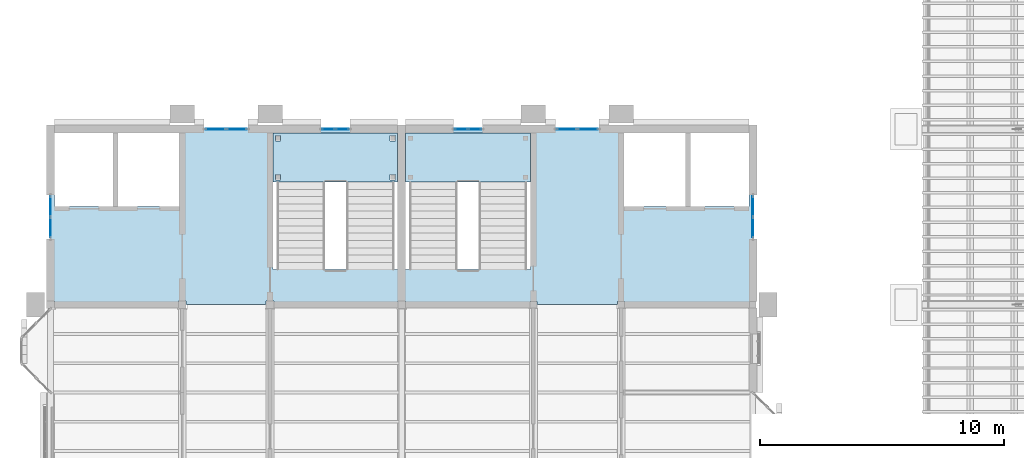
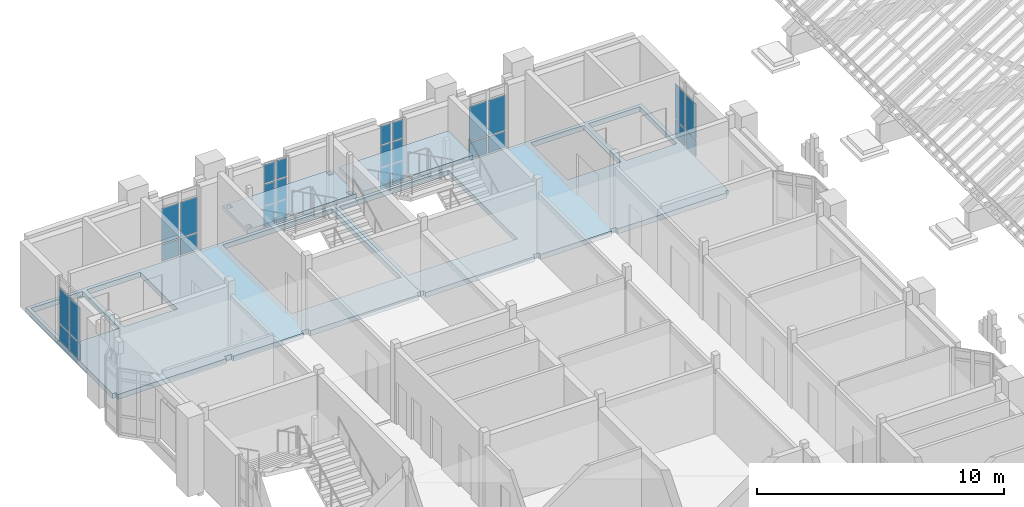
# One storey, part 30 of 71: 28 plates, 4 slabs, 8 elements without a shape of their own.
"""IFC4 building model written with IfcOpenShell, lengths in metres."""

from ifc_helpers import new_model, si_unit, direction, frame, origin, origin_2d, place, context, subcontext, project, spatial, polyline, rectangle, outline, extrude, material, layer, layer_set, type_object, element, aggregate, save


model = new_model("IFC4")

# Units and contexts
model_context = context("Model", 3, precision=1e-05, world=origin(), true_north=direction((0.0, 1.0)))
body_context = subcontext(model_context, "Body", "Model", "MODEL_VIEW")
ifc_project = project(units=[si_unit("LENGTHUNIT", "METRE"), si_unit("AREAUNIT", "SQUARE_METRE"), si_unit("VOLUMEUNIT", "CUBIC_METRE"), si_unit("PLANEANGLEUNIT", "RADIAN"), si_unit("MASSUNIT", "GRAM", prefix="KILO")], contexts=[model_context])

# Site, building, storey
site_placement = place(None, origin())
site = spatial("IfcSite", under=ifc_project, at=site_placement, CompositionType="ELEMENT")
building_placement = place(site_placement, origin())
building = spatial("IfcBuilding", under=site, at=building_placement, Name="Mazhai Court Health Centre", CompositionType="ELEMENT")
storey_placement = place(building_placement, frame((0.0, 0.0, 10.199951171875)))
storey = spatial("IfcBuildingStorey", under=building, at=storey_placement, Name="L02", CompositionType="ELEMENT", Elevation=10.199951171875)

# Curtain wall, plates
ifc_material_1 = material(Name="Teak timber frame, glazed", Category="wood")
ifc_layer_1 = layer(ifc_material_1, 0.10009765625)
ifc_layer_set_1 = layer_set([ifc_layer_1], Name="CURTAIN WALL TIMBER 900")
curtain_wall_type_1 = type_object("IfcCurtainWallType", Name="CURTAIN WALL TIMBER 900", PredefinedType="NOTDEFINED", material=ifc_layer_set_1)
curtain_wall_1_placement = place(storey_placement, origin())
curtain_wall_1 = element("IfcCurtainWall", 1, at=curtain_wall_1_placement, inside=storey, type_object=curtain_wall_type_1, Name="CW-V2-L02-A4", PredefinedType="NOTDEFINED")
ifc_material_2 = material(Name="Glass IGU 28 mm", Category="glass")
ifc_layer_2 = layer(ifc_material_2, 0.028076171875)
ifc_layer_set_2 = layer_set([ifc_layer_2], Name="CW PANEL IGU 28")
plate_type = type_object("IfcPlateType", Name="CW PANEL IGU 28", PredefinedType="CURTAIN_PANEL", material=ifc_layer_set_2)
plate_1_placement = place(storey_placement, frame((6.199951171875, 38.1650390625, 0.06005859375), z_axis=(0.0, 0.0, 1.0), x_axis=(0.0, 1.0, 0.0)))
plate_1 = element("IfcPlate", 2, at=plate_1_placement, type_object=plate_type, Name="CW panel 1.1", PredefinedType="CURTAIN_PANEL", context=body_context, shape_type="SweptSolid", body=[
    extrude(rectangle(XDim=0.81005859375, YDim=0.028076171875, at=origin_2d()), origin(), (0.0, 0.0, 1.0), 0.81005859375),
])
plate_2_placement = place(storey_placement, frame((6.199951171875, 38.1650390625, 0.93017578125), z_axis=(0.0, 0.0, 1.0), x_axis=(0.0, 1.0, 0.0)))
plate_2 = element("IfcPlate", 3, at=plate_2_placement, type_object=plate_type, Name="CW panel 1.2", PredefinedType="CURTAIN_PANEL", context=body_context, shape_type="SweptSolid", body=[
    extrude(rectangle(XDim=0.81005859375, YDim=0.028076171875, at=origin_2d()), origin(), (0.0, 0.0, 1.0), 1.739990234375),
])
plate_3_placement = place(storey_placement, frame((6.199951171875, 39.034912109375, 0.06005859375), z_axis=(0.0, 0.0, 1.0), x_axis=(0.0, 1.0, 0.0)))
plate_3 = element("IfcPlate", 4, at=plate_3_placement, type_object=plate_type, Name="CW panel 2.1", PredefinedType="CURTAIN_PANEL", context=body_context, shape_type="SweptSolid", body=[
    extrude(rectangle(XDim=0.81005859375, YDim=0.028076171875, at=origin_2d()), origin(), (0.0, 0.0, 1.0), 0.81005859375),
])
plate_4_placement = place(storey_placement, frame((6.199951171875, 39.034912109375, 0.93017578125), z_axis=(0.0, 0.0, 1.0), x_axis=(0.0, 1.0, 0.0)))
plate_4 = element("IfcPlate", 5, at=plate_4_placement, type_object=plate_type, Name="CW panel 2.2", PredefinedType="CURTAIN_PANEL", context=body_context, shape_type="SweptSolid", body=[
    extrude(rectangle(XDim=0.81005859375, YDim=0.028076171875, at=origin_2d()), origin(), (0.0, 0.0, 1.0), 1.739990234375),
])
aggregate(curtain_wall_1, [plate_1, plate_2, plate_3, plate_4])

curtain_wall_2_placement = place(storey_placement, origin())
curtain_wall_2 = element("IfcCurtainWall", 6, at=curtain_wall_2_placement, inside=storey, type_object=curtain_wall_type_1, Name="CW-V2-L02-ELIFT0", PredefinedType="NOTDEFINED")
plate_5_placement = place(storey_placement, frame((12.965087890625, 42.199951171875, 0.06005859375), z_axis=(0.0, 0.0, 1.0), x_axis=(1.0, 0.0, 0.0)))
plate_5 = element("IfcPlate", 7, at=plate_5_placement, type_object=plate_type, Name="CW panel 1.1", PredefinedType="CURTAIN_PANEL", context=body_context, shape_type="SweptSolid", body=[
    extrude(rectangle(XDim=0.81005859375, YDim=0.028076171875, at=origin_2d()), origin(), (0.0, 0.0, 1.0), 0.81005859375),
])
plate_6_placement = place(storey_placement, frame((12.965087890625, 42.199951171875, 0.93017578125), z_axis=(0.0, 0.0, 1.0), x_axis=(1.0, 0.0, 0.0)))
plate_6 = element("IfcPlate", 8, at=plate_6_placement, type_object=plate_type, Name="CW panel 1.2", PredefinedType="CURTAIN_PANEL", context=body_context, shape_type="SweptSolid", body=[
    extrude(rectangle(XDim=0.81005859375, YDim=0.028076171875, at=origin_2d()), origin(), (0.0, 0.0, 1.0), 1.739990234375),
])
plate_7_placement = place(storey_placement, frame((13.8349609375, 42.199951171875, 0.06005859375), z_axis=(0.0, 0.0, 1.0), x_axis=(1.0, 0.0, 0.0)))
plate_7 = element("IfcPlate", 9, at=plate_7_placement, type_object=plate_type, Name="CW panel 2.1", PredefinedType="CURTAIN_PANEL", context=body_context, shape_type="SweptSolid", body=[
    extrude(rectangle(XDim=0.81005859375, YDim=0.028076171875, at=origin_2d()), origin(), (0.0, 0.0, 1.0), 0.81005859375),
])
plate_8_placement = place(storey_placement, frame((13.8349609375, 42.199951171875, 0.93017578125), z_axis=(0.0, 0.0, 1.0), x_axis=(1.0, 0.0, 0.0)))
plate_8 = element("IfcPlate", 10, at=plate_8_placement, type_object=plate_type, Name="CW panel 2.2", PredefinedType="CURTAIN_PANEL", context=body_context, shape_type="SweptSolid", body=[
    extrude(rectangle(XDim=0.81005859375, YDim=0.028076171875, at=origin_2d()), origin(), (0.0, 0.0, 1.0), 1.739990234375),
])
aggregate(curtain_wall_2, [plate_5, plate_6, plate_7, plate_8])

ifc_material_3 = material(Name="Teak timber frame, glazed", Category="wood")
ifc_layer_3 = layer(ifc_material_3, 0.10009765625)
ifc_layer_set_3 = layer_set([ifc_layer_3], Name="CURTAIN WALL TIMBER 600")
curtain_wall_type_2 = type_object("IfcCurtainWallType", Name="CURTAIN WALL TIMBER 600", PredefinedType="NOTDEFINED", material=ifc_layer_set_3)
curtain_wall_3_placement = place(storey_placement, origin())
curtain_wall_3 = element("IfcCurtainWall", 11, at=curtain_wall_3_placement, inside=storey, type_object=curtain_wall_type_2, Name="CW-V2-L02-ESTAIR1", PredefinedType="NOTDEFINED")
plate_9_placement = place(storey_placement, frame((17.594970703125, 42.199951171875, 0.06005859375), z_axis=(0.0, 0.0, 1.0), x_axis=(1.0, 0.0, 0.0)))
plate_9 = element("IfcPlate", 12, at=plate_9_placement, type_object=plate_type, Name="CW panel 1.1", PredefinedType="CURTAIN_PANEL", context=body_context, shape_type="SweptSolid", body=[
    extrude(rectangle(XDim=0.510009765625, YDim=0.028076171875, at=origin_2d()), origin(), (0.0, 0.0, 1.0), 1.010009765625),
])
plate_10_placement = place(storey_placement, frame((17.594970703125, 42.199951171875, 1.130126953125), z_axis=(0.0, 0.0, 1.0), x_axis=(1.0, 0.0, 0.0)))
plate_10 = element("IfcPlate", 13, at=plate_10_placement, type_object=plate_type, Name="CW panel 1.2", PredefinedType="CURTAIN_PANEL", context=body_context, shape_type="SweptSolid", body=[
    extrude(rectangle(XDim=0.510009765625, YDim=0.028076171875, at=origin_2d()), origin(), (0.0, 0.0, 1.0), 1.0400390625),
])
plate_11_placement = place(storey_placement, frame((17.594970703125, 42.199951171875, 2.22998046875), z_axis=(0.0, 0.0, 1.0), x_axis=(1.0, 0.0, 0.0)))
plate_11 = element("IfcPlate", 14, at=plate_11_placement, type_object=plate_type, Name="CW panel 1.3", PredefinedType="CURTAIN_PANEL", context=body_context, shape_type="SweptSolid", body=[
    extrude(rectangle(XDim=0.510009765625, YDim=0.028076171875, at=origin_2d()), origin(), (0.0, 0.0, 1.0), 0.909912109375),
])
plate_12_placement = place(storey_placement, frame((18.1650390625, 42.199951171875, 0.06005859375), z_axis=(0.0, 0.0, 1.0), x_axis=(1.0, 0.0, 0.0)))
plate_12 = element("IfcPlate", 15, at=plate_12_placement, type_object=plate_type, Name="CW panel 2.1", PredefinedType="CURTAIN_PANEL", context=body_context, shape_type="SweptSolid", body=[
    extrude(rectangle(XDim=0.510009765625, YDim=0.028076171875, at=origin_2d()), origin(), (0.0, 0.0, 1.0), 1.010009765625),
])
plate_13_placement = place(storey_placement, frame((18.1650390625, 42.199951171875, 1.130126953125), z_axis=(0.0, 0.0, 1.0), x_axis=(1.0, 0.0, 0.0)))
plate_13 = element("IfcPlate", 16, at=plate_13_placement, type_object=plate_type, Name="CW panel 2.2", PredefinedType="CURTAIN_PANEL", context=body_context, shape_type="SweptSolid", body=[
    extrude(rectangle(XDim=0.510009765625, YDim=0.028076171875, at=origin_2d()), origin(), (0.0, 0.0, 1.0), 1.0400390625),
])
plate_14_placement = place(storey_placement, frame((18.1650390625, 42.199951171875, 2.22998046875), z_axis=(0.0, 0.0, 1.0), x_axis=(1.0, 0.0, 0.0)))
plate_14 = element("IfcPlate", 17, at=plate_14_placement, type_object=plate_type, Name="CW panel 2.3", PredefinedType="CURTAIN_PANEL", context=body_context, shape_type="SweptSolid", body=[
    extrude(rectangle(XDim=0.510009765625, YDim=0.028076171875, at=origin_2d()), origin(), (0.0, 0.0, 1.0), 0.909912109375),
])
aggregate(curtain_wall_3, [plate_9, plate_10, plate_11, plate_12, plate_13, plate_14])

curtain_wall_4_placement = place(storey_placement, origin())
curtain_wall_4 = element("IfcCurtainWall", 18, at=curtain_wall_4_placement, inside=storey, type_object=curtain_wall_type_1, Name="CW-V5-L02-B4", PredefinedType="NOTDEFINED")
plate_15_placement = place(storey_placement, frame((35.0, 39.034912109375, 0.06005859375), z_axis=(0.0, 0.0, 1.0), x_axis=(0.0, -1.0, 0.0)))
plate_15 = element("IfcPlate", 19, at=plate_15_placement, type_object=plate_type, Name="CW panel 1.1", PredefinedType="CURTAIN_PANEL", context=body_context, shape_type="SweptSolid", body=[
    extrude(rectangle(XDim=0.81005859375, YDim=0.028076171875, at=origin_2d()), origin(), (0.0, 0.0, 1.0), 0.81005859375),
])
plate_16_placement = place(storey_placement, frame((35.0, 39.034912109375, 0.93017578125), z_axis=(0.0, 0.0, 1.0), x_axis=(0.0, -1.0, 0.0)))
plate_16 = element("IfcPlate", 20, at=plate_16_placement, type_object=plate_type, Name="CW panel 1.2", PredefinedType="CURTAIN_PANEL", context=body_context, shape_type="SweptSolid", body=[
    extrude(rectangle(XDim=0.81005859375, YDim=0.028076171875, at=origin_2d()), origin(), (0.0, 0.0, 1.0), 1.739990234375),
])
plate_17_placement = place(storey_placement, frame((35.0, 38.1650390625, 0.06005859375), z_axis=(0.0, 0.0, 1.0), x_axis=(0.0, -1.0, 0.0)))
plate_17 = element("IfcPlate", 21, at=plate_17_placement, type_object=plate_type, Name="CW panel 2.1", PredefinedType="CURTAIN_PANEL", context=body_context, shape_type="SweptSolid", body=[
    extrude(rectangle(XDim=0.81005859375, YDim=0.028076171875, at=origin_2d()), origin(), (0.0, 0.0, 1.0), 0.81005859375),
])
plate_18_placement = place(storey_placement, frame((35.0, 38.1650390625, 0.93017578125), z_axis=(0.0, 0.0, 1.0), x_axis=(0.0, -1.0, 0.0)))
plate_18 = element("IfcPlate", 22, at=plate_18_placement, type_object=plate_type, Name="CW panel 2.2", PredefinedType="CURTAIN_PANEL", context=body_context, shape_type="SweptSolid", body=[
    extrude(rectangle(XDim=0.81005859375, YDim=0.028076171875, at=origin_2d()), origin(), (0.0, 0.0, 1.0), 1.739990234375),
])
aggregate(curtain_wall_4, [plate_15, plate_16, plate_17, plate_18])

curtain_wall_5_placement = place(storey_placement, origin())
curtain_wall_5 = element("IfcCurtainWall", 23, at=curtain_wall_5_placement, inside=storey, type_object=curtain_wall_type_2, Name="CW-V5-L02-ESTAIR0", PredefinedType="NOTDEFINED")
plate_19_placement = place(storey_placement, frame((23.034912109375, 42.199951171875, 0.06005859375), z_axis=(0.0, 0.0, 1.0), x_axis=(1.0, 0.0, 0.0)))
plate_19 = element("IfcPlate", 24, at=plate_19_placement, type_object=plate_type, Name="CW panel 1.1", PredefinedType="CURTAIN_PANEL", context=body_context, shape_type="SweptSolid", body=[
    extrude(rectangle(XDim=0.510009765625, YDim=0.028076171875, at=origin_2d()), origin(), (0.0, 0.0, 1.0), 1.010009765625),
])
plate_20_placement = place(storey_placement, frame((23.034912109375, 42.199951171875, 1.130126953125), z_axis=(0.0, 0.0, 1.0), x_axis=(1.0, 0.0, 0.0)))
plate_20 = element("IfcPlate", 25, at=plate_20_placement, type_object=plate_type, Name="CW panel 1.2", PredefinedType="CURTAIN_PANEL", context=body_context, shape_type="SweptSolid", body=[
    extrude(rectangle(XDim=0.510009765625, YDim=0.028076171875, at=origin_2d()), origin(), (0.0, 0.0, 1.0), 1.0400390625),
])
plate_21_placement = place(storey_placement, frame((23.034912109375, 42.199951171875, 2.22998046875), z_axis=(0.0, 0.0, 1.0), x_axis=(1.0, 0.0, 0.0)))
plate_21 = element("IfcPlate", 26, at=plate_21_placement, type_object=plate_type, Name="CW panel 1.3", PredefinedType="CURTAIN_PANEL", context=body_context, shape_type="SweptSolid", body=[
    extrude(rectangle(XDim=0.510009765625, YDim=0.028076171875, at=origin_2d()), origin(), (0.0, 0.0, 1.0), 0.909912109375),
])
plate_22_placement = place(storey_placement, frame((23.60498046875, 42.199951171875, 0.06005859375), z_axis=(0.0, 0.0, 1.0), x_axis=(1.0, 0.0, 0.0)))
plate_22 = element("IfcPlate", 27, at=plate_22_placement, type_object=plate_type, Name="CW panel 2.1", PredefinedType="CURTAIN_PANEL", context=body_context, shape_type="SweptSolid", body=[
    extrude(rectangle(XDim=0.510009765625, YDim=0.028076171875, at=origin_2d()), origin(), (0.0, 0.0, 1.0), 1.010009765625),
])
plate_23_placement = place(storey_placement, frame((23.60498046875, 42.199951171875, 1.130126953125), z_axis=(0.0, 0.0, 1.0), x_axis=(1.0, 0.0, 0.0)))
plate_23 = element("IfcPlate", 28, at=plate_23_placement, type_object=plate_type, Name="CW panel 2.2", PredefinedType="CURTAIN_PANEL", context=body_context, shape_type="SweptSolid", body=[
    extrude(rectangle(XDim=0.510009765625, YDim=0.028076171875, at=origin_2d()), origin(), (0.0, 0.0, 1.0), 1.0400390625),
])
plate_24_placement = place(storey_placement, frame((23.60498046875, 42.199951171875, 2.22998046875), z_axis=(0.0, 0.0, 1.0), x_axis=(1.0, 0.0, 0.0)))
plate_24 = element("IfcPlate", 29, at=plate_24_placement, type_object=plate_type, Name="CW panel 2.3", PredefinedType="CURTAIN_PANEL", context=body_context, shape_type="SweptSolid", body=[
    extrude(rectangle(XDim=0.510009765625, YDim=0.028076171875, at=origin_2d()), origin(), (0.0, 0.0, 1.0), 0.909912109375),
])
aggregate(curtain_wall_5, [plate_19, plate_20, plate_21, plate_22, plate_23, plate_24])

curtain_wall_6_placement = place(storey_placement, origin())
curtain_wall_6 = element("IfcCurtainWall", 30, at=curtain_wall_6_placement, inside=storey, type_object=curtain_wall_type_1, Name="CW-V5-L02-ELIFT1", PredefinedType="NOTDEFINED")
plate_25_placement = place(storey_placement, frame((27.364990234375, 42.199951171875, 0.06005859375), z_axis=(0.0, 0.0, 1.0), x_axis=(1.0, 0.0, 0.0)))
plate_25 = element("IfcPlate", 31, at=plate_25_placement, type_object=plate_type, Name="CW panel 1.1", PredefinedType="CURTAIN_PANEL", context=body_context, shape_type="SweptSolid", body=[
    extrude(rectangle(XDim=0.81005859375, YDim=0.028076171875, at=origin_2d()), origin(), (0.0, 0.0, 1.0), 0.81005859375),
])
plate_26_placement = place(storey_placement, frame((27.364990234375, 42.199951171875, 0.93017578125), z_axis=(0.0, 0.0, 1.0), x_axis=(1.0, 0.0, 0.0)))
plate_26 = element("IfcPlate", 32, at=plate_26_placement, type_object=plate_type, Name="CW panel 1.2", PredefinedType="CURTAIN_PANEL", context=body_context, shape_type="SweptSolid", body=[
    extrude(rectangle(XDim=0.81005859375, YDim=0.028076171875, at=origin_2d()), origin(), (0.0, 0.0, 1.0), 1.739990234375),
])
plate_27_placement = place(storey_placement, frame((28.235107421875, 42.199951171875, 0.06005859375), z_axis=(0.0, 0.0, 1.0), x_axis=(1.0, 0.0, 0.0)))
plate_27 = element("IfcPlate", 33, at=plate_27_placement, type_object=plate_type, Name="CW panel 2.1", PredefinedType="CURTAIN_PANEL", context=body_context, shape_type="SweptSolid", body=[
    extrude(rectangle(XDim=0.81005859375, YDim=0.028076171875, at=origin_2d()), origin(), (0.0, 0.0, 1.0), 0.81005859375),
])
plate_28_placement = place(storey_placement, frame((28.235107421875, 42.199951171875, 0.93017578125), z_axis=(0.0, 0.0, 1.0), x_axis=(1.0, 0.0, 0.0)))
plate_28 = element("IfcPlate", 34, at=plate_28_placement, type_object=plate_type, Name="CW panel 2.2", PredefinedType="CURTAIN_PANEL", context=body_context, shape_type="SweptSolid", body=[
    extrude(rectangle(XDim=0.81005859375, YDim=0.028076171875, at=origin_2d()), origin(), (0.0, 0.0, 1.0), 1.739990234375),
])
aggregate(curtain_wall_6, [plate_25, plate_26, plate_27, plate_28])

# Slabs
ifc_material_4 = material(Name="Concrete M40", Category="concrete")
ifc_layer_4 = layer(ifc_material_4, 0.25)
ifc_layer_set_4 = layer_set([ifc_layer_4], Name="RC CORE FLOOR 250 M40")
slab_type_1 = type_object("IfcSlabType", Name="RC CORE FLOOR 250 M40", PredefinedType="FLOOR", material=ifc_layer_set_4)
slab_1_placement = place(storey_placement, frame((0.0, 0.0, -0.25)))
element("IfcSlab", 35, at=slab_1_placement, inside=storey, type_object=slab_type_1, Name="core-C3-floor-L02", PredefinedType="FLOOR", context=body_context, shape_type="SweptSolid", body=[
    extrude(outline(polyline([(20.60009765625, 42.199951171875), (20.60009765625, 35.159912109375), (20.43994140625, 35.159912109375), (20.43994140625, 35.0), (15.360107421875, 35.0), (15.360107421875, 35.159912109375), (15.0400390625, 35.159912109375), (15.0400390625, 35.0), (11.760009765625, 35.0), (11.760009765625, 35.159912109375), (11.43994140625, 35.159912109375), (11.43994140625, 35.0), (6.360107421875, 35.0), (6.360107421875, 35.159912109375), (6.199951171875, 35.159912109375), (6.199951171875, 42.199951171875), (20.60009765625, 42.199951171875)]), holes=[polyline([(15.324951171875, 36.4365234375), (20.43505859375, 36.4365234375), (20.43505859375, 42.034912109375), (15.324951171875, 42.034912109375), (15.324951171875, 36.4365234375)]), polyline([(8.764892578125, 42.034912109375), (6.364990234375, 42.034912109375), (6.364990234375, 39.034912109375), (8.764892578125, 39.034912109375), (8.764892578125, 42.034912109375)]), polyline([(11.47509765625, 42.034912109375), (8.965087890625, 42.034912109375), (8.965087890625, 39.034912109375), (11.47509765625, 39.034912109375), (11.47509765625, 42.034912109375)])]), origin(), (0.0, 0.0, 1.0), 0.25),
])
slab_2_placement = place(storey_placement, frame((0.0, 0.0, -0.25)))
element("IfcSlab", 36, at=slab_2_placement, inside=storey, type_object=slab_type_1, Name="core-C5-floor-L02", PredefinedType="FLOOR", context=body_context, shape_type="SweptSolid", body=[
    extrude(outline(polyline([(35.0, 42.199951171875), (35.0, 35.139892578125), (34.860107421875, 35.139892578125), (34.860107421875, 35.0), (29.739990234375, 35.0), (29.739990234375, 35.139892578125), (29.4599609375, 35.139892578125), (29.4599609375, 35.0), (26.139892578125, 35.0), (26.139892578125, 35.139892578125), (25.860107421875, 35.139892578125), (25.860107421875, 35.0), (20.760009765625, 35.0), (20.760009765625, 35.159912109375), (20.60009765625, 35.159912109375), (20.60009765625, 42.199951171875), (35.0, 42.199951171875)]), holes=[polyline([(20.764892578125, 36.4365234375), (25.875, 36.4365234375), (25.875, 42.034912109375), (20.764892578125, 42.034912109375), (20.764892578125, 36.4365234375)]), polyline([(32.235107421875, 42.034912109375), (29.72509765625, 42.034912109375), (29.72509765625, 39.034912109375), (32.235107421875, 39.034912109375), (32.235107421875, 42.034912109375)]), polyline([(34.8349609375, 42.034912109375), (32.43505859375, 42.034912109375), (32.43505859375, 39.034912109375), (34.8349609375, 39.034912109375), (34.8349609375, 42.034912109375)])]), origin(), (0.0, 0.0, 1.0), 0.25),
])

# Stair, slab
ifc_material_5 = material(Name="Concrete M40", Category="concrete")
stair_type = type_object("IfcStairType", Name="RC STAIR 2000 26R", PredefinedType="DOUBLE_RETURN_STAIR", material=ifc_material_5)
stair_1_placement = place(storey_placement, origin())
stair_1 = element("IfcStair", 37, at=stair_1_placement, inside=storey, type_object=stair_type, Name="L02 Stair 3", PredefinedType="HALF_TURN_STAIR")
ifc_material_6 = material(Name="Concrete M40", Category="concrete")
ifc_layer_5 = layer(ifc_material_6, 0.199951171875)
ifc_layer_set_5 = layer_set([ifc_layer_5], Name="RC STAIR LANDING 200 M40")
slab_type_2 = type_object("IfcSlabType", Name="RC STAIR LANDING 200 M40", PredefinedType="LANDING", material=ifc_layer_set_5)
slab_3_placement = place(storey_placement, frame((0.0, 0.0, 1.75)))
slab_3 = element("IfcSlab", 38, at=slab_3_placement, type_object=slab_type_2, Name="ST3 landing 1", PredefinedType="LANDING", context=body_context, shape_type="SweptSolid", body=[
    extrude(outline(polyline([(20.43505859375, 40.034912109375), (20.43505859375, 42.034912109375), (15.324951171875, 42.034912109375), (15.324951171875, 40.034912109375), (20.43505859375, 40.034912109375)]), holes=[polyline([(15.4150390625, 41.72509765625), (15.625, 41.72509765625), (15.625, 41.93505859375), (15.4150390625, 41.93505859375), (15.4150390625, 41.72509765625)]), polyline([(20.125, 41.72509765625), (20.3349609375, 41.72509765625), (20.3349609375, 41.93505859375), (20.125, 41.93505859375), (20.125, 41.72509765625)]), polyline([(15.4150390625, 40.125), (15.625, 40.125), (15.625, 40.3349609375), (15.4150390625, 40.3349609375), (15.4150390625, 40.125)]), polyline([(20.125, 40.125), (20.3349609375, 40.125), (20.3349609375, 40.3349609375), (20.125, 40.3349609375), (20.125, 40.125)])]), origin(), (0.0, 0.0, 1.0), 0.199951171875),
])
aggregate(stair_1, [slab_3])

stair_2_placement = place(storey_placement, origin())
stair_2 = element("IfcStair", 39, at=stair_2_placement, inside=storey, type_object=stair_type, Name="L02 Stair 5", PredefinedType="HALF_TURN_STAIR")
slab_4_placement = place(storey_placement, frame((0.0, 0.0, 1.75)))
slab_4 = element("IfcSlab", 40, at=slab_4_placement, type_object=slab_type_2, Name="ST5 landing 1", PredefinedType="LANDING", context=body_context, shape_type="SweptSolid", body=[
    extrude(outline(polyline([(25.875, 40.034912109375), (25.875, 42.034912109375), (20.764892578125, 42.034912109375), (20.764892578125, 40.034912109375), (25.875, 40.034912109375)])), origin(), (0.0, 0.0, 1.0), 0.199951171875),
])
aggregate(stair_2, [slab_4])

save(model, "model.ifc")
